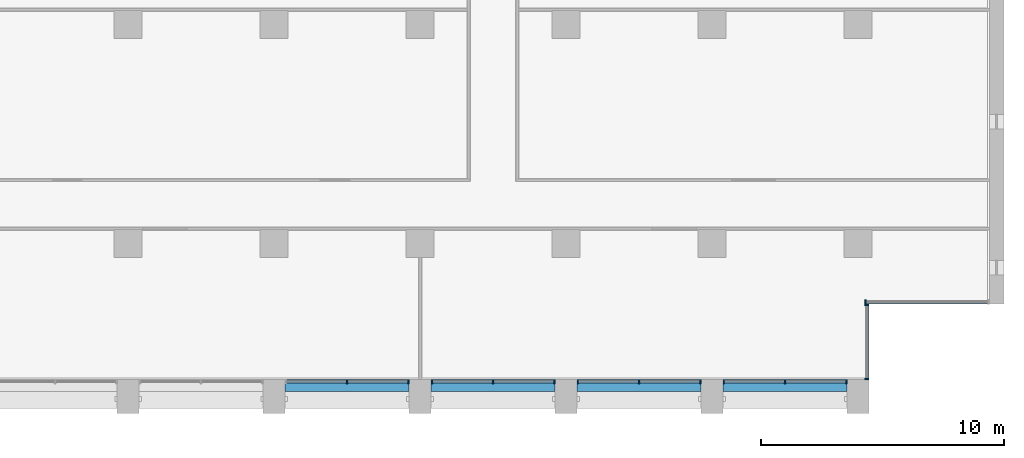
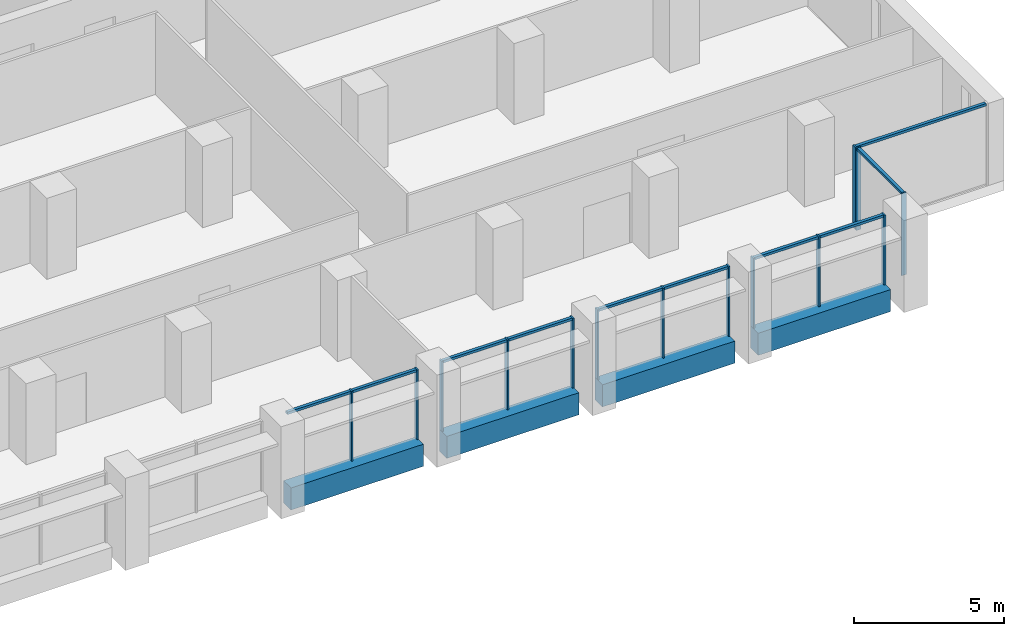
# One storey, part 3 of 16: 24 members, 4 beams, 6 elements without a shape of their own.
"""IFC4 building model written with IfcOpenShell, lengths in metres."""

from ifc_helpers import new_model, si_unit, direction, frame, origin, origin_2d, place, context, subcontext, project, spatial, rectangle, extrude, material, material_profile, profile_set, type_object, element, aggregate, save


model = new_model("IFC4")

# Units and contexts
model_context = context("Model", 3, precision=1e-05, world=origin(), true_north=direction((0.0, 1.0)))
body_context = subcontext(model_context, "Body", "Model", "MODEL_VIEW")
ifc_project = project(units=[si_unit("LENGTHUNIT", "METRE"), si_unit("AREAUNIT", "SQUARE_METRE"), si_unit("VOLUMEUNIT", "CUBIC_METRE"), si_unit("PLANEANGLEUNIT", "RADIAN"), si_unit("MASSUNIT", "GRAM", prefix="KILO")], contexts=[model_context])

# Site, building, storey
site_placement = place(None, origin())
site = spatial("IfcSite", under=ifc_project, at=site_placement, CompositionType="ELEMENT")
building_placement = place(site_placement, origin())
building = spatial("IfcBuilding", under=site, at=building_placement, Name="Calvaro Tower", CompositionType="ELEMENT")
storey_placement = place(building_placement, frame((0.0, 0.0, 178.0)))
storey = spatial("IfcBuildingStorey", under=building, at=storey_placement, Name="L44", CompositionType="ELEMENT", Elevation=178.0)

# Curtain wall, members
ifc_material_1 = material(Name="Anodised aluminium", Category="aluminium")
curtain_wall_type = type_object("IfcCurtainWallType", Name="Office curtain wall, upper zone", PredefinedType="NOTDEFINED", material=ifc_material_1)
curtain_wall_1_placement = place(storey_placement, origin())
curtain_wall_1 = element("IfcCurtainWall", 1, at=curtain_wall_1_placement, inside=storey, type_object=curtain_wall_type, Name="CW3 south curtain wall", PredefinedType="NOTDEFINED")
ifc_material_2 = material(Name="Anodised aluminium", Category="aluminium")
ifc_material_profile_1 = material_profile(ifc_material_2, rectangle(XDim=0.179931640625, YDim=0.06005859375, at=origin_2d()), Name="Mullion S3 60 x 180")
ifc_profile_set_1 = profile_set([ifc_material_profile_1], Name="Anodised aluminium")
member_type_1 = type_object("IfcMemberType", Name="Mullion S3 60 x 180", PredefinedType="MULLION", material=ifc_profile_set_1)
member_1_placement = place(storey_placement, frame((45.0, 4.31005859375, 0.0), z_axis=(0.0, 0.0, 1.0), x_axis=(0.0, 1.0, 0.0)))
member_1 = element("IfcMember", 2, at=member_1_placement, type_object=member_type_1, Name="CW3 mullion 2", PredefinedType="MULLION", context=body_context, shape_type="SweptSolid", body=[
    extrude(rectangle(XDim=0.179931640625, YDim=0.06005859375, at=origin_2d()), origin(), (0.0, 0.0, 1.0), 2.85009765625),
])
member_2_placement = place(storey_placement, frame((47.52001953125, 4.31005859375, 0.0), z_axis=(0.0, 0.0, 1.0), x_axis=(0.0, 1.0, 0.0)))
member_2 = element("IfcMember", 3, at=member_2_placement, type_object=member_type_1, Name="CW3 mullion 3", PredefinedType="MULLION", context=body_context, shape_type="SweptSolid", body=[
    extrude(rectangle(XDim=0.179931640625, YDim=0.06005859375, at=origin_2d()), origin(), (0.0, 0.0, 1.0), 2.85009765625),
])

curtain_wall_2_placement = place(storey_placement, origin())
curtain_wall_2 = element("IfcCurtainWall", 4, at=curtain_wall_2_placement, inside=storey, type_object=curtain_wall_type, Name="CW3 south curtain wall", PredefinedType="NOTDEFINED")
member_3_placement = place(storey_placement, frame((48.47998046875, 4.31005859375, 0.0), z_axis=(0.0, 0.0, 1.0), x_axis=(0.0, 1.0, 0.0)))
member_3 = element("IfcMember", 5, at=member_3_placement, type_object=member_type_1, Name="CW3 mullion 1", PredefinedType="MULLION", context=body_context, shape_type="SweptSolid", body=[
    extrude(rectangle(XDim=0.179931640625, YDim=0.06005859375, at=origin_2d()), origin(), (0.0, 0.0, 1.0), 2.85009765625),
])
member_4_placement = place(storey_placement, frame((51.0, 4.31005859375, 0.0), z_axis=(0.0, 0.0, 1.0), x_axis=(0.0, 1.0, 0.0)))
member_4 = element("IfcMember", 6, at=member_4_placement, type_object=member_type_1, Name="CW3 mullion 2", PredefinedType="MULLION", context=body_context, shape_type="SweptSolid", body=[
    extrude(rectangle(XDim=0.179931640625, YDim=0.06005859375, at=origin_2d()), origin(), (0.0, 0.0, 1.0), 2.85009765625),
])
member_5_placement = place(storey_placement, frame((53.52001953125, 4.31005859375, 0.0), z_axis=(0.0, 0.0, 1.0), x_axis=(0.0, 1.0, 0.0)))
member_5 = element("IfcMember", 7, at=member_5_placement, type_object=member_type_1, Name="CW3 mullion 3", PredefinedType="MULLION", context=body_context, shape_type="SweptSolid", body=[
    extrude(rectangle(XDim=0.179931640625, YDim=0.06005859375, at=origin_2d()), origin(), (0.0, 0.0, 1.0), 2.85009765625),
])

curtain_wall_3_placement = place(storey_placement, origin())
curtain_wall_3 = element("IfcCurtainWall", 8, at=curtain_wall_3_placement, inside=storey, type_object=curtain_wall_type, Name="CW3 south curtain wall", PredefinedType="NOTDEFINED")
member_6_placement = place(storey_placement, frame((54.47998046875, 4.31005859375, 0.0), z_axis=(0.0, 0.0, 1.0), x_axis=(0.0, 1.0, 0.0)))
member_6 = element("IfcMember", 9, at=member_6_placement, type_object=member_type_1, Name="CW3 mullion 1", PredefinedType="MULLION", context=body_context, shape_type="SweptSolid", body=[
    extrude(rectangle(XDim=0.179931640625, YDim=0.06005859375, at=origin_2d()), origin(), (0.0, 0.0, 1.0), 2.85009765625),
])
member_7_placement = place(storey_placement, frame((57.0, 4.31005859375, 0.0), z_axis=(0.0, 0.0, 1.0), x_axis=(0.0, 1.0, 0.0)))
member_7 = element("IfcMember", 10, at=member_7_placement, type_object=member_type_1, Name="CW3 mullion 2", PredefinedType="MULLION", context=body_context, shape_type="SweptSolid", body=[
    extrude(rectangle(XDim=0.179931640625, YDim=0.06005859375, at=origin_2d()), origin(), (0.0, 0.0, 1.0), 2.85009765625),
])
member_8_placement = place(storey_placement, frame((59.52001953125, 4.31005859375, 0.0), z_axis=(0.0, 0.0, 1.0), x_axis=(0.0, 1.0, 0.0)))
member_8 = element("IfcMember", 11, at=member_8_placement, type_object=member_type_1, Name="CW3 mullion 3", PredefinedType="MULLION", context=body_context, shape_type="SweptSolid", body=[
    extrude(rectangle(XDim=0.179931640625, YDim=0.06005859375, at=origin_2d()), origin(), (0.0, 0.0, 1.0), 2.85009765625),
])

curtain_wall_4_placement = place(storey_placement, origin())
curtain_wall_4 = element("IfcCurtainWall", 12, at=curtain_wall_4_placement, inside=storey, type_object=curtain_wall_type, Name="CW3 south curtain wall", PredefinedType="NOTDEFINED")
member_9_placement = place(storey_placement, frame((60.47998046875, 4.31005859375, 0.0), z_axis=(0.0, 0.0, 1.0), x_axis=(0.0, 1.0, 0.0)))
member_9 = element("IfcMember", 13, at=member_9_placement, type_object=member_type_1, Name="CW3 mullion 1", PredefinedType="MULLION", context=body_context, shape_type="SweptSolid", body=[
    extrude(rectangle(XDim=0.179931640625, YDim=0.06005859375, at=origin_2d()), origin(), (0.0, 0.0, 1.0), 2.85009765625),
])
member_10_placement = place(storey_placement, frame((63.0, 4.31005859375, 0.0), z_axis=(0.0, 0.0, 1.0), x_axis=(0.0, 1.0, 0.0)))
member_10 = element("IfcMember", 14, at=member_10_placement, type_object=member_type_1, Name="CW3 mullion 2", PredefinedType="MULLION", context=body_context, shape_type="SweptSolid", body=[
    extrude(rectangle(XDim=0.179931640625, YDim=0.06005859375, at=origin_2d()), origin(), (0.0, 0.0, 1.0), 2.85009765625),
])
member_11_placement = place(storey_placement, frame((65.52001953125, 4.31005859375, 0.0), z_axis=(0.0, 0.0, 1.0), x_axis=(0.0, 1.0, 0.0)))
member_11 = element("IfcMember", 15, at=member_11_placement, type_object=member_type_1, Name="CW3 mullion 3", PredefinedType="MULLION", context=body_context, shape_type="SweptSolid", body=[
    extrude(rectangle(XDim=0.179931640625, YDim=0.06005859375, at=origin_2d()), origin(), (0.0, 0.0, 1.0), 2.85009765625),
])

curtain_wall_5_placement = place(storey_placement, origin())
curtain_wall_5 = element("IfcCurtainWall", 16, at=curtain_wall_5_placement, inside=storey, type_object=curtain_wall_type, Name="CW3 corner curtain wall", PredefinedType="NOTDEFINED")
member_12_placement = place(storey_placement, frame((66.360107421875, 4.429931640625, 0.0), z_axis=(0.0, 0.0, 1.0), x_axis=(-1.0, 0.0, 0.0)))
member_12 = element("IfcMember", 17, at=member_12_placement, type_object=member_type_1, Name="CW3 mullion 1", PredefinedType="MULLION", context=body_context, shape_type="SweptSolid", body=[
    extrude(rectangle(XDim=0.179931640625, YDim=0.06005859375, at=origin_2d()), origin(), (0.0, 0.0, 1.0), 3.35009765625),
])
member_13_placement = place(storey_placement, frame((66.360107421875, 7.469970703125, 0.0), z_axis=(0.0, 0.0, 1.0), x_axis=(-1.0, 0.0, 0.0)))
member_13 = element("IfcMember", 18, at=member_13_placement, type_object=member_type_1, Name="CW3 mullion 2", PredefinedType="MULLION", context=body_context, shape_type="SweptSolid", body=[
    extrude(rectangle(XDim=0.179931640625, YDim=0.06005859375, at=origin_2d()), origin(), (0.0, 0.0, 1.0), 3.35009765625),
])

# Curtain wall, member
curtain_wall_6_placement = place(storey_placement, origin())
curtain_wall_6 = element("IfcCurtainWall", 19, at=curtain_wall_6_placement, inside=storey, type_object=curtain_wall_type, Name="CW3 corner curtain wall", PredefinedType="NOTDEFINED")
member_14_placement = place(storey_placement, frame((66.300048828125, 7.590087890625, 0.0), z_axis=(0.0, 0.0, 1.0), x_axis=(0.0, 1.0, 0.0)))
member_14 = element("IfcMember", 20, at=member_14_placement, type_object=member_type_1, Name="CW3 mullion 1", PredefinedType="MULLION", context=body_context, shape_type="SweptSolid", body=[
    extrude(rectangle(XDim=0.179931640625, YDim=0.06005859375, at=origin_2d()), origin(), (0.0, 0.0, 1.0), 3.35009765625),
])

# Beams
ifc_material_3 = material(Name="Concrete C50/60 precast", Category="concrete")
ifc_material_profile_2 = material_profile(ifc_material_3, rectangle(XDim=0.5, YDim=0.89990234375, at=origin_2d()), Name="RC 500x900")
ifc_profile_set_2 = profile_set([ifc_material_profile_2], Name="Concrete C50/60 precast")
beam_type = type_object("IfcBeamType", Name="Spandrel beam 500x900 C50/60", PredefinedType="SPANDREL", material=ifc_profile_set_2)
for number, where, z_axis, x_axis, name in (
    (21, (42.449951171875, 4.14990234375, -0.449951171875), (1.0, 0.0, 0.0), (0.0, 1.0, 0.0), "Spandrel beam"),
    (22, (48.449951171875, 4.14990234375, -0.449951171875), (1.0, 0.0, 0.0), (0.0, 1.0, 0.0), "Spandrel beam"),
    (23, (54.449951171875, 4.14990234375, -0.449951171875), (1.0, 0.0, 0.0), (0.0, 1.0, 0.0), "Spandrel beam"),
    (24, (60.449951171875, 4.14990234375, -0.449951171875), (1.0, 0.0, 0.0), (0.0, 1.0, 0.0), "Spandrel beam"),
):
    element("IfcBeam", number, at=place(storey_placement, frame(where, z_axis=z_axis, x_axis=x_axis)), inside=storey, type_object=beam_type, Name=name, PredefinedType="SPANDREL", context=body_context, shape_type="SweptSolid", body=[
        extrude(rectangle(XDim=0.5, YDim=0.89990234375, at=origin_2d()), origin(), (0.0, 0.0, 1.0), 5.10009765625),
    ])

# Member
ifc_material_4 = material(Name="Anodised aluminium", Category="aluminium")
ifc_material_profile_3 = material_profile(ifc_material_4, rectangle(XDim=0.1201171875, YDim=0.10009765625, at=origin_2d()), Name="Transom S3 100 x 120")
ifc_profile_set_3 = profile_set([ifc_material_profile_3], Name="Anodised aluminium")
member_type_2 = type_object("IfcMemberType", Name="Transom S3 100 x 120", PredefinedType="USERDEFINED", material=ifc_profile_set_3)
member_15_placement = place(storey_placement, frame((42.510009765625, 4.31005859375, 2.800048828125), z_axis=(1.0, 0.0, 0.0), x_axis=(0.0, 1.0, 0.0)))
member_15 = element("IfcMember", 25, at=member_15_placement, type_object=member_type_2, Name="CW3 transom 1.1", ObjectType="TRANSOM", PredefinedType="USERDEFINED", context=body_context, shape_type="SweptSolid", body=[
    extrude(rectangle(XDim=0.1201171875, YDim=0.10009765625, at=origin_2d()), origin(), (0.0, 0.0, 1.0), 2.4599609375),
])

member_16_placement = place(storey_placement, frame((45.030029296875, 4.31005859375, 2.800048828125), z_axis=(1.0, 0.0, 0.0), x_axis=(0.0, 1.0, 0.0)))
member_16 = element("IfcMember", 26, at=member_16_placement, type_object=member_type_2, Name="CW3 transom 2.1", ObjectType="TRANSOM", PredefinedType="USERDEFINED", context=body_context, shape_type="SweptSolid", body=[
    extrude(rectangle(XDim=0.1201171875, YDim=0.10009765625, at=origin_2d()), origin(), (0.0, 0.0, 1.0), 2.4599609375),
])

aggregate(curtain_wall_1, [member_1, member_2, member_15, member_16])

member_17_placement = place(storey_placement, frame((48.510009765625, 4.31005859375, 2.800048828125), z_axis=(1.0, 0.0, 0.0), x_axis=(0.0, 1.0, 0.0)))
member_17 = element("IfcMember", 27, at=member_17_placement, type_object=member_type_2, Name="CW3 transom 1.1", ObjectType="TRANSOM", PredefinedType="USERDEFINED", context=body_context, shape_type="SweptSolid", body=[
    extrude(rectangle(XDim=0.1201171875, YDim=0.10009765625, at=origin_2d()), origin(), (0.0, 0.0, 1.0), 2.4599609375),
])

member_18_placement = place(storey_placement, frame((51.030029296875, 4.31005859375, 2.800048828125), z_axis=(1.0, 0.0, 0.0), x_axis=(0.0, 1.0, 0.0)))
member_18 = element("IfcMember", 28, at=member_18_placement, type_object=member_type_2, Name="CW3 transom 2.1", ObjectType="TRANSOM", PredefinedType="USERDEFINED", context=body_context, shape_type="SweptSolid", body=[
    extrude(rectangle(XDim=0.1201171875, YDim=0.10009765625, at=origin_2d()), origin(), (0.0, 0.0, 1.0), 2.4599609375),
])

aggregate(curtain_wall_2, [member_3, member_4, member_5, member_17, member_18])

member_19_placement = place(storey_placement, frame((54.510009765625, 4.31005859375, 2.800048828125), z_axis=(1.0, 0.0, 0.0), x_axis=(0.0, 1.0, 0.0)))
member_19 = element("IfcMember", 29, at=member_19_placement, type_object=member_type_2, Name="CW3 transom 1.1", ObjectType="TRANSOM", PredefinedType="USERDEFINED", context=body_context, shape_type="SweptSolid", body=[
    extrude(rectangle(XDim=0.1201171875, YDim=0.10009765625, at=origin_2d()), origin(), (0.0, 0.0, 1.0), 2.4599609375),
])

member_20_placement = place(storey_placement, frame((57.030029296875, 4.31005859375, 2.800048828125), z_axis=(1.0, 0.0, 0.0), x_axis=(0.0, 1.0, 0.0)))
member_20 = element("IfcMember", 30, at=member_20_placement, type_object=member_type_2, Name="CW3 transom 2.1", ObjectType="TRANSOM", PredefinedType="USERDEFINED", context=body_context, shape_type="SweptSolid", body=[
    extrude(rectangle(XDim=0.1201171875, YDim=0.10009765625, at=origin_2d()), origin(), (0.0, 0.0, 1.0), 2.4599609375),
])

aggregate(curtain_wall_3, [member_6, member_7, member_8, member_19, member_20])

member_21_placement = place(storey_placement, frame((60.510009765625, 4.31005859375, 2.800048828125), z_axis=(1.0, 0.0, 0.0), x_axis=(0.0, 1.0, 0.0)))
member_21 = element("IfcMember", 31, at=member_21_placement, type_object=member_type_2, Name="CW3 transom 1.1", ObjectType="TRANSOM", PredefinedType="USERDEFINED", context=body_context, shape_type="SweptSolid", body=[
    extrude(rectangle(XDim=0.1201171875, YDim=0.10009765625, at=origin_2d()), origin(), (0.0, 0.0, 1.0), 2.4599609375),
])

member_22_placement = place(storey_placement, frame((63.030029296875, 4.31005859375, 2.800048828125), z_axis=(1.0, 0.0, 0.0), x_axis=(0.0, 1.0, 0.0)))
member_22 = element("IfcMember", 32, at=member_22_placement, type_object=member_type_2, Name="CW3 transom 2.1", ObjectType="TRANSOM", PredefinedType="USERDEFINED", context=body_context, shape_type="SweptSolid", body=[
    extrude(rectangle(XDim=0.1201171875, YDim=0.10009765625, at=origin_2d()), origin(), (0.0, 0.0, 1.0), 2.4599609375),
])

aggregate(curtain_wall_4, [member_9, member_10, member_11, member_21, member_22])

member_23_placement = place(storey_placement, frame((66.360107421875, 4.4599609375, 3.300048828125), z_axis=(0.0, 1.0, 0.0), x_axis=(-1.0, 0.0, 0.0)))
member_23 = element("IfcMember", 33, at=member_23_placement, type_object=member_type_2, Name="CW3 transom 1.1", ObjectType="TRANSOM", PredefinedType="USERDEFINED", context=body_context, shape_type="SweptSolid", body=[
    extrude(rectangle(XDim=0.1201171875, YDim=0.10009765625, at=origin_2d()), origin(), (0.0, 0.0, 1.0), 2.97998046875),
])

aggregate(curtain_wall_5, [member_12, member_13, member_23])

member_24_placement = place(storey_placement, frame((66.330078125, 7.590087890625, 3.300048828125), z_axis=(1.0, 0.0, 0.0), x_axis=(0.0, 1.0, 0.0)))
member_24 = element("IfcMember", 34, at=member_24_placement, type_object=member_type_2, Name="CW3 transom 1.1", ObjectType="TRANSOM", PredefinedType="USERDEFINED", context=body_context, shape_type="SweptSolid", body=[
    extrude(rectangle(XDim=0.1201171875, YDim=0.10009765625, at=origin_2d()), origin(), (0.0, 0.0, 1.0), 5.010009765625),
])

aggregate(curtain_wall_6, [member_14, member_24])

save(model, "model.ifc")
